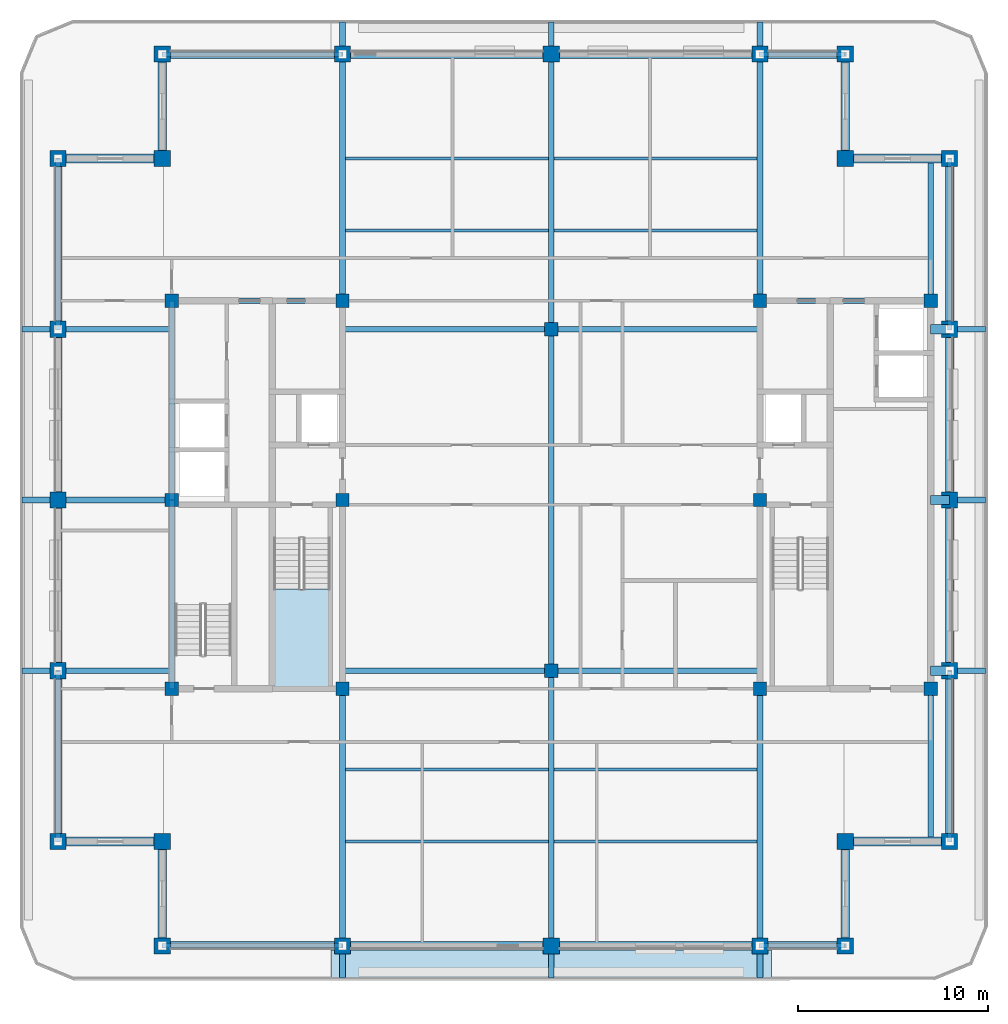
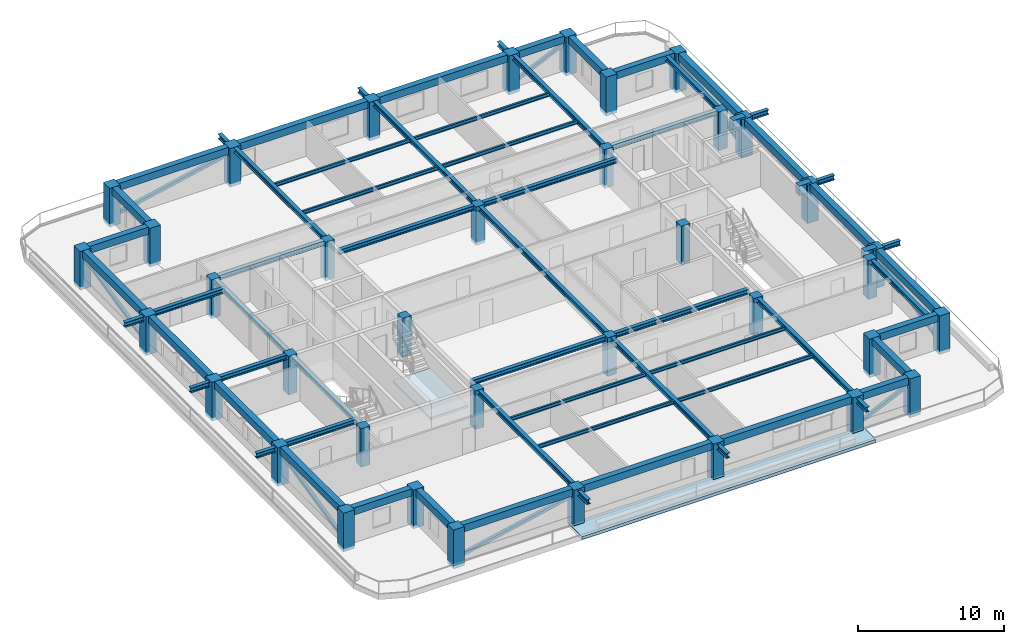
# One storey, part 1 of 11: 67 beams, 37 columns, 8 members, 2 slabs, 1 element without a shape of its own.
"""IFC4 building model written with IfcOpenShell, lengths in metres."""

from ifc_helpers import new_model, si_unit, direction, frame, origin, origin_2d, place, context, subcontext, project, spatial, polyline, rectangle, hollow_rectangle, i_section, outline, extrude, material, layer, layer_set, material_profile, profile_set, type_object, element, aggregate, save


model = new_model("IFC4")

# Units and contexts
model_context = context("Model", 3, precision=1e-05, world=origin(), true_north=direction((0.0, 1.0)))
body_context = subcontext(model_context, "Body", "Model", "MODEL_VIEW")
ifc_project = project(units=[si_unit("LENGTHUNIT", "METRE"), si_unit("AREAUNIT", "SQUARE_METRE"), si_unit("VOLUMEUNIT", "CUBIC_METRE"), si_unit("PLANEANGLEUNIT", "RADIAN"), si_unit("MASSUNIT", "GRAM", prefix="KILO")], contexts=[model_context])

# Site, building, storey
site_placement = place(None, origin())
site = spatial("IfcSite", under=ifc_project, at=site_placement, CompositionType="ELEMENT")
building_placement = place(site_placement, origin())
building = spatial("IfcBuilding", under=site, at=building_placement, Name="Zulmaris Gate Convention Tower", CompositionType="ELEMENT")
storey_placement = place(building_placement, frame((0.0, 0.0, 264.119873046875)))
storey = spatial("IfcBuildingStorey", under=building, at=storey_placement, Name="L70", CompositionType="ELEMENT", Elevation=264.119873046875)

# Columns
ifc_material_1 = material(Name="Concrete C50/60", Category="concrete")
ifc_material_profile_1 = material_profile(ifc_material_1, rectangle(XDim=0.699951171875, YDim=0.699951171875, at=origin_2d()), Name="RC COL 700x700")
ifc_profile_set_1 = profile_set([ifc_material_profile_1], Name="Concrete C50/60")
column_type_1 = type_object("IfcColumnType", Name="COL-RC700", PredefinedType="COLUMN", material=ifc_profile_set_1)
for number, where, z_axis, x_axis, name in (
    (1, (-20.0, -9.949951171875, -0.25), (0.0, 0.0, 1.0), (1.0, 0.0, 0.0), "L70 Column IN--20.00_-9.95"),
    (2, (-20.0, 10.5, -0.25), (0.0, 0.0, 1.0), (1.0, 0.0, 0.0), "L70 Column IN--20.00_+10.50"),
    (3, (-11.0, -9.949951171875, -0.25), (0.0, 0.0, 1.0), (1.0, 0.0, 0.0), "L70 Column IN--11.00_-9.95"),
    (4, (-11.0, 0.0, -0.25), (0.0, 0.0, 1.0), (1.0, 0.0, 0.0), "L70 Column IN--11.00_+0.00"),
    (5, (-11.0, 10.5, -0.25), (0.0, 0.0, 1.0), (1.0, 0.0, 0.0), "L70 Column IN--11.00_+10.50"),
    (6, (11.0, -9.949951171875, -0.25), (0.0, 0.0, 1.0), (1.0, 0.0, 0.0), "L70 Column IN-+11.00_-9.95"),
    (7, (11.0, 0.0, -0.25), (0.0, 0.0, 1.0), (1.0, 0.0, 0.0), "L70 Column IN-+11.00_+0.00"),
    (8, (11.0, 10.5, -0.25), (0.0, 0.0, 1.0), (1.0, 0.0, 0.0), "L70 Column IN-+11.00_+10.50"),
    (9, (20.0, -9.949951171875, -0.25), (0.0, 0.0, 1.0), (1.0, 0.0, 0.0), "L70 Column IN-+20.00_-9.95"),
    (10, (20.0, 10.5, -0.25), (0.0, 0.0, 1.0), (1.0, 0.0, 0.0), "L70 Column IN-+20.00_+10.50"),
    (11, (0.0, -9.0, -0.25), (0.0, 0.0, 1.0), (1.0, 0.0, 0.0), "L70 Column IN-+0.00_-9.00"),
    (12, (0.0, 9.0, -0.25), (0.0, 0.0, 1.0), (1.0, 0.0, 0.0), "L70 Column IN-+0.00_+9.00"),
    (13, (-20.0, 0.0, -0.25), (0.0, 0.0, 1.0), (1.0, 0.0, 0.0), "L70 Column IN--20.00_+0.00"),
):
    element("IfcColumn", number, at=place(storey_placement, frame(where, z_axis=z_axis, x_axis=x_axis)), inside=storey, type_object=column_type_1, Name=name, PredefinedType="COLUMN", context=body_context, shape_type="SweptSolid", body=[
        extrude(rectangle(XDim=0.699951171875, YDim=0.699951171875, at=origin_2d()), origin(), (0.0, 0.0, 1.0), 3.230224609375),
    ])
ifc_material_2 = material(Name="Concrete C60/75", Category="concrete")
ifc_material_profile_2 = material_profile(ifc_material_2, rectangle(XDim=0.85009765625, YDim=0.85009765625, at=origin_2d()), Name="RC COL 850x850")
ifc_profile_set_2 = profile_set([ifc_material_profile_2], Name="Concrete C60/75")
column_type_2 = type_object("IfcColumnType", Name="COL-RC850", PredefinedType="COLUMN", material=ifc_profile_set_2)
for number, where, z_axis, x_axis, name in (
    (14, (-20.5, -23.5, -0.25), (0.0, 0.0, 1.0), (1.0, 0.0, 0.0), "L70 Column PT--20.50_-23.50"),
    (15, (-11.0, -23.5, -0.25), (0.0, 0.0, 1.0), (1.0, 0.0, 0.0), "L70 Column PT--11.00_-23.50"),
    (16, (0.0, -23.5, -0.25), (0.0, 0.0, 1.0), (1.0, 0.0, 0.0), "L70 Column PT-+0.00_-23.50"),
    (17, (11.0, -23.5, -0.25), (0.0, 0.0, 1.0), (1.0, 0.0, 0.0), "L70 Column PT-+11.00_-23.50"),
    (18, (15.5, -23.5, -0.25), (0.0, 0.0, 1.0), (1.0, 0.0, 0.0), "L70 Column PT-+15.50_-23.50"),
    (19, (-20.5, 23.5, -0.25), (0.0, 0.0, 1.0), (1.0, 0.0, 0.0), "L70 Column PT--20.50_+23.50"),
    (20, (-11.0, 23.5, -0.25), (0.0, 0.0, 1.0), (1.0, 0.0, 0.0), "L70 Column PT--11.00_+23.50"),
    (21, (0.0, 23.5, -0.25), (0.0, 0.0, 1.0), (1.0, 0.0, 0.0), "L70 Column PT-+0.00_+23.50"),
    (22, (11.0, 23.5, -0.25), (0.0, 0.0, 1.0), (1.0, 0.0, 0.0), "L70 Column PT-+11.00_+23.50"),
    (23, (15.5, 23.5, -0.25), (0.0, 0.0, 1.0), (1.0, 0.0, 0.0), "L70 Column PT-+15.50_+23.50"),
    (24, (-26.0, -18.0, -0.25), (0.0, 0.0, 1.0), (1.0, 0.0, 0.0), "L70 Column PT--26.00_-18.00"),
    (25, (-26.0, -9.0, -0.25), (0.0, 0.0, 1.0), (1.0, 0.0, 0.0), "L70 Column PT--26.00_-9.00"),
    (26, (-26.0, 0.0, -0.25), (0.0, 0.0, 1.0), (1.0, 0.0, 0.0), "L70 Column PT--26.00_+0.00"),
    (27, (-26.0, 9.0, -0.25), (0.0, 0.0, 1.0), (1.0, 0.0, 0.0), "L70 Column PT--26.00_+9.00"),
    (28, (-26.0, 18.0, -0.25), (0.0, 0.0, 1.0), (1.0, 0.0, 0.0), "L70 Column PT--26.00_+18.00"),
    (29, (21.0, -18.0, -0.25), (0.0, 0.0, 1.0), (1.0, 0.0, 0.0), "L70 Column PT-+21.00_-18.00"),
    (30, (21.0, -9.0, -0.25), (0.0, 0.0, 1.0), (1.0, 0.0, 0.0), "L70 Column PT-+21.00_-9.00"),
    (31, (21.0, 0.0, -0.25), (0.0, 0.0, 1.0), (1.0, 0.0, 0.0), "L70 Column PT-+21.00_+0.00"),
    (32, (21.0, 9.0, -0.25), (0.0, 0.0, 1.0), (1.0, 0.0, 0.0), "L70 Column PT-+21.00_+9.00"),
    (33, (21.0, 18.0, -0.25), (0.0, 0.0, 1.0), (1.0, 0.0, 0.0), "L70 Column PT-+21.00_+18.00"),
    (34, (-20.5, -18.0, -0.25), (0.0, 0.0, 1.0), (1.0, 0.0, 0.0), "L70 Column PT--20.50_-18.00"),
    (35, (15.5, -18.0, -0.25), (0.0, 0.0, 1.0), (1.0, 0.0, 0.0), "L70 Column PT-+15.50_-18.00"),
    (36, (15.5, 18.0, -0.25), (0.0, 0.0, 1.0), (1.0, 0.0, 0.0), "L70 Column PT-+15.50_+18.00"),
    (37, (-20.5, 18.0, -0.25), (0.0, 0.0, 1.0), (1.0, 0.0, 0.0), "L70 Column PT--20.50_+18.00"),
):
    element("IfcColumn", number, at=place(storey_placement, frame(where, z_axis=z_axis, x_axis=x_axis)), inside=storey, type_object=column_type_2, Name=name, PredefinedType="COLUMN", context=body_context, shape_type="SweptSolid", body=[
        extrude(rectangle(XDim=0.85009765625, YDim=0.85009765625, at=origin_2d()), origin(), (0.0, 0.0, 1.0), 3.230224609375),
    ])

# Beams
ifc_material_3 = material(Name="Steel S355", Category="steel")
ifc_material_profile_3 = material_profile(ifc_material_3, i_section(OverallWidth=0.300048828125, OverallDepth=0.39990234375, WebThickness=0.013427734375, FlangeThickness=0.02392578125, FilletRadius=0.027099609375, at=origin_2d()), Name="HEB 400")
ifc_profile_set_3 = profile_set([ifc_material_profile_3], Name="Steel S355")
beam_type_1 = type_object("IfcBeamType", Name="BM-HEB400", PredefinedType="BEAM", material=ifc_profile_set_3)
for number, where, z_axis, x_axis, name in (
    (38, (-11.0, -25.199951171875, 2.64013671875), (0.0, 1.0, 0.0), (-1.0, 0.0, 0.0), "L70 Beam TBRK-L70-S--11"),
    (39, (-11.0, 23.5, 2.64013671875), (0.0, 1.0, 0.0), (-1.0, 0.0, 0.0), "L70 Beam TBRK-L70-N--11"),
    (40, (0.0, -25.199951171875, 2.64013671875), (0.0, 1.0, 0.0), (-1.0, 0.0, 0.0), "L70 Beam TBRK-L70-S-+0"),
    (41, (0.0, 23.5, 2.64013671875), (0.0, 1.0, 0.0), (-1.0, 0.0, 0.0), "L70 Beam TBRK-L70-N-+0"),
    (42, (11.0, -25.199951171875, 2.64013671875), (0.0, 1.0, 0.0), (-1.0, 0.0, 0.0), "L70 Beam TBRK-L70-S-+11"),
    (43, (11.0, 23.5, 2.64013671875), (0.0, 1.0, 0.0), (-1.0, 0.0, 0.0), "L70 Beam TBRK-L70-N-+11"),
):
    element("IfcBeam", number, at=place(storey_placement, frame(where, z_axis=z_axis, x_axis=x_axis)), inside=storey, type_object=beam_type_1, Name=name, PredefinedType="BEAM", context=body_context, shape_type="SweptSolid", body=[
        extrude(i_section(OverallWidth=0.300048828125, OverallDepth=0.39990234375, WebThickness=0.013427734375, FlangeThickness=0.02392578125, FilletRadius=0.027099609375, at=origin_2d()), origin(), (0.0, 0.0, 1.0), 1.699951171875),
    ])
for number, where, z_axis, x_axis, name in (
    (44, (-27.89990234375, -9.0, 2.64013671875), (1.0, 0.0, 0.0), (0.0, 1.0, 0.0), "L70 Beam TBRK-L70-W--9"),
    (45, (21.0, -9.0, 2.64013671875), (1.0, 0.0, 0.0), (0.0, 1.0, 0.0), "L70 Beam TBRK-L70-E--9"),
    (46, (-27.89990234375, 0.0, 2.64013671875), (1.0, 0.0, 0.0), (0.0, 1.0, 0.0), "L70 Beam TBRK-L70-W-+0"),
    (47, (21.0, 0.0, 2.64013671875), (1.0, 0.0, 0.0), (0.0, 1.0, 0.0), "L70 Beam TBRK-L70-E-+0"),
    (48, (-27.89990234375, 9.0, 2.64013671875), (1.0, 0.0, 0.0), (0.0, 1.0, 0.0), "L70 Beam TBRK-L70-W-+9"),
    (49, (21.0, 9.0, 2.64013671875), (1.0, 0.0, 0.0), (0.0, 1.0, 0.0), "L70 Beam TBRK-L70-E-+9"),
):
    element("IfcBeam", number, at=place(storey_placement, frame(where, z_axis=z_axis, x_axis=x_axis)), inside=storey, type_object=beam_type_1, Name=name, PredefinedType="BEAM", context=body_context, shape_type="SweptSolid", body=[
        extrude(i_section(OverallWidth=0.300048828125, OverallDepth=0.39990234375, WebThickness=0.013427734375, FlangeThickness=0.02392578125, FilletRadius=0.027099609375, at=origin_2d()), origin(), (0.0, 0.0, 1.0), 1.89990234375),
    ])
for number, where, z_axis, x_axis, name in (
    (50, (-11.0, -9.0, 2.7783203125), (1.0, 0.0, 0.0), (0.0, 1.0, 0.0), "L70 Beam BM-L70-G01"),
    (51, (0.0, -9.0, 2.7783203125), (1.0, 0.0, 0.0), (0.0, 1.0, 0.0), "L70 Beam BM-L70-G02"),
    (52, (-11.0, 9.0, 2.7783203125), (1.0, 0.0, 0.0), (0.0, 1.0, 0.0), "L70 Beam BM-L70-G03"),
    (53, (0.0, 9.0, 2.7783203125), (1.0, 0.0, 0.0), (0.0, 1.0, 0.0), "L70 Beam BM-L70-G04"),
):
    element("IfcBeam", number, at=place(storey_placement, frame(where, z_axis=z_axis, x_axis=x_axis)), inside=storey, type_object=beam_type_1, Name=name, PredefinedType="BEAM", context=body_context, shape_type="SweptSolid", body=[
        extrude(i_section(OverallWidth=0.300048828125, OverallDepth=0.39990234375, WebThickness=0.013427734375, FlangeThickness=0.02392578125, FilletRadius=0.027099609375, at=origin_2d()), origin(), (0.0, 0.0, 1.0), 11.0),
    ])
beam_1_placement = place(storey_placement, frame((0.0, -23.5, 2.7783203125), z_axis=(0.0, 1.0, 0.0), x_axis=(-1.0, 0.0, 0.0)))
element("IfcBeam", 54, at=beam_1_placement, inside=storey, type_object=beam_type_1, Name="L70 Beam BM-L70-G05", PredefinedType="BEAM", context=body_context, shape_type="SweptSolid", body=[
    extrude(i_section(OverallWidth=0.300048828125, OverallDepth=0.39990234375, WebThickness=0.013427734375, FlangeThickness=0.02392578125, FilletRadius=0.027099609375, at=origin_2d()), origin(), (0.0, 0.0, 1.0), 14.5),
])
beam_2_placement = place(storey_placement, frame((0.0, -9.0, 2.7783203125), z_axis=(0.0, 1.0, 0.0), x_axis=(-1.0, 0.0, 0.0)))
element("IfcBeam", 55, at=beam_2_placement, inside=storey, type_object=beam_type_1, Name="L70 Beam BM-L70-G06", PredefinedType="BEAM", context=body_context, shape_type="SweptSolid", body=[
    extrude(i_section(OverallWidth=0.300048828125, OverallDepth=0.39990234375, WebThickness=0.013427734375, FlangeThickness=0.02392578125, FilletRadius=0.027099609375, at=origin_2d()), origin(), (0.0, 0.0, 1.0), 18.0),
])
beam_3_placement = place(storey_placement, frame((0.0, 9.0, 2.7783203125), z_axis=(0.0, 1.0, 0.0), x_axis=(-1.0, 0.0, 0.0)))
element("IfcBeam", 56, at=beam_3_placement, inside=storey, type_object=beam_type_1, Name="L70 Beam BM-L70-G07", PredefinedType="BEAM", context=body_context, shape_type="SweptSolid", body=[
    extrude(i_section(OverallWidth=0.300048828125, OverallDepth=0.39990234375, WebThickness=0.013427734375, FlangeThickness=0.02392578125, FilletRadius=0.027099609375, at=origin_2d()), origin(), (0.0, 0.0, 1.0), 14.5),
])
beam_4_placement = place(storey_placement, frame((-11.0, -23.5, 2.7783203125), z_axis=(0.0, 1.0, 0.0), x_axis=(-1.0, 0.0, 0.0)))
element("IfcBeam", 57, at=beam_4_placement, inside=storey, type_object=beam_type_1, Name="L70 Beam BM-L70-G08", PredefinedType="BEAM", context=body_context, shape_type="SweptSolid", body=[
    extrude(i_section(OverallWidth=0.300048828125, OverallDepth=0.39990234375, WebThickness=0.013427734375, FlangeThickness=0.02392578125, FilletRadius=0.027099609375, at=origin_2d()), origin(), (0.0, 0.0, 1.0), 13.550048828125),
])
beam_5_placement = place(storey_placement, frame((-11.0, 10.5, 2.7783203125), z_axis=(0.0, 1.0, 0.0), x_axis=(-1.0, 0.0, 0.0)))
element("IfcBeam", 58, at=beam_5_placement, inside=storey, type_object=beam_type_1, Name="L70 Beam BM-L70-G09", PredefinedType="BEAM", context=body_context, shape_type="SweptSolid", body=[
    extrude(i_section(OverallWidth=0.300048828125, OverallDepth=0.39990234375, WebThickness=0.013427734375, FlangeThickness=0.02392578125, FilletRadius=0.027099609375, at=origin_2d()), origin(), (0.0, 0.0, 1.0), 13.0),
])
beam_6_placement = place(storey_placement, frame((11.0, -23.5, 2.7783203125), z_axis=(0.0, 1.0, 0.0), x_axis=(-1.0, 0.0, 0.0)))
element("IfcBeam", 59, at=beam_6_placement, inside=storey, type_object=beam_type_1, Name="L70 Beam BM-L70-G10", PredefinedType="BEAM", context=body_context, shape_type="SweptSolid", body=[
    extrude(i_section(OverallWidth=0.300048828125, OverallDepth=0.39990234375, WebThickness=0.013427734375, FlangeThickness=0.02392578125, FilletRadius=0.027099609375, at=origin_2d()), origin(), (0.0, 0.0, 1.0), 13.550048828125),
])
beam_7_placement = place(storey_placement, frame((11.0, 10.5, 2.7783203125), z_axis=(0.0, 1.0, 0.0), x_axis=(-1.0, 0.0, 0.0)))
element("IfcBeam", 60, at=beam_7_placement, inside=storey, type_object=beam_type_1, Name="L70 Beam BM-L70-G11", PredefinedType="BEAM", context=body_context, shape_type="SweptSolid", body=[
    extrude(i_section(OverallWidth=0.300048828125, OverallDepth=0.39990234375, WebThickness=0.013427734375, FlangeThickness=0.02392578125, FilletRadius=0.027099609375, at=origin_2d()), origin(), (0.0, 0.0, 1.0), 13.0),
])
beam_8_placement = place(storey_placement, frame((20.0, -18.0, 2.7783203125), z_axis=(0.0, 1.0, 0.0), x_axis=(-1.0, 0.0, 0.0)))
element("IfcBeam", 61, at=beam_8_placement, inside=storey, type_object=beam_type_1, Name="L70 Beam BM-L70-G14", PredefinedType="BEAM", context=body_context, shape_type="SweptSolid", body=[
    extrude(i_section(OverallWidth=0.300048828125, OverallDepth=0.39990234375, WebThickness=0.013427734375, FlangeThickness=0.02392578125, FilletRadius=0.027099609375, at=origin_2d()), origin(), (0.0, 0.0, 1.0), 8.050048828125),
])
beam_9_placement = place(storey_placement, frame((20.0, 10.5, 2.7783203125), z_axis=(0.0, 1.0, 0.0), x_axis=(-1.0, 0.0, 0.0)))
element("IfcBeam", 62, at=beam_9_placement, inside=storey, type_object=beam_type_1, Name="L70 Beam BM-L70-G15", PredefinedType="BEAM", context=body_context, shape_type="SweptSolid", body=[
    extrude(i_section(OverallWidth=0.300048828125, OverallDepth=0.39990234375, WebThickness=0.013427734375, FlangeThickness=0.02392578125, FilletRadius=0.027099609375, at=origin_2d()), origin(), (0.0, 0.0, 1.0), 7.5),
])
for number, where, z_axis, x_axis, name in (
    (63, (-26.0, -9.0, 2.7783203125), (1.0, 0.0, 0.0), (0.0, 1.0, 0.0), "L70 Beam BM-L70-G16"),
    (64, (-26.0, 0.0, 2.7783203125), (1.0, 0.0, 0.0), (0.0, 1.0, 0.0), "L70 Beam BM-L70-G17"),
    (65, (-26.0, 9.0, 2.7783203125), (1.0, 0.0, 0.0), (0.0, 1.0, 0.0), "L70 Beam BM-L70-G18"),
):
    element("IfcBeam", number, at=place(storey_placement, frame(where, z_axis=z_axis, x_axis=x_axis)), inside=storey, type_object=beam_type_1, Name=name, PredefinedType="BEAM", context=body_context, shape_type="SweptSolid", body=[
        extrude(i_section(OverallWidth=0.300048828125, OverallDepth=0.39990234375, WebThickness=0.013427734375, FlangeThickness=0.02392578125, FilletRadius=0.027099609375, at=origin_2d()), origin(), (0.0, 0.0, 1.0), 6.0),
    ])
for number, where, z_axis, x_axis, name in (
    (66, (-20.0, 10.5, 2.7783203125), (1.0, 0.0, 0.0), (0.0, 1.0, 0.0), "L70 Beam BM-L70-G23"),
    (67, (11.0, 10.5, 2.7783203125), (1.0, 0.0, 0.0), (0.0, 1.0, 0.0), "L70 Beam BM-L70-G25"),
):
    element("IfcBeam", number, at=place(storey_placement, frame(where, z_axis=z_axis, x_axis=x_axis)), inside=storey, type_object=beam_type_1, Name=name, PredefinedType="BEAM", context=body_context, shape_type="SweptSolid", body=[
        extrude(i_section(OverallWidth=0.300048828125, OverallDepth=0.39990234375, WebThickness=0.013427734375, FlangeThickness=0.02392578125, FilletRadius=0.027099609375, at=origin_2d()), origin(), (0.0, 0.0, 1.0), 9.0),
    ])
beam_10_placement = place(storey_placement, frame((-20.0, -9.949951171875, 2.7783203125), z_axis=(0.0, 1.0, 0.0), x_axis=(-1.0, 0.0, 0.0)))
element("IfcBeam", 68, at=beam_10_placement, inside=storey, type_object=beam_type_1, Name="L70 Beam BM-L70-G26", PredefinedType="BEAM", context=body_context, shape_type="SweptSolid", body=[
    extrude(i_section(OverallWidth=0.300048828125, OverallDepth=0.39990234375, WebThickness=0.013427734375, FlangeThickness=0.02392578125, FilletRadius=0.027099609375, at=origin_2d()), origin(), (0.0, 0.0, 1.0), 9.949951171875),
])
beam_11_placement = place(storey_placement, frame((-20.0, 0.0, 2.7783203125), z_axis=(0.0, 1.0, 0.0), x_axis=(-1.0, 0.0, 0.0)))
element("IfcBeam", 69, at=beam_11_placement, inside=storey, type_object=beam_type_1, Name="L70 Beam BM-L70-G27", PredefinedType="BEAM", context=body_context, shape_type="SweptSolid", body=[
    extrude(i_section(OverallWidth=0.300048828125, OverallDepth=0.39990234375, WebThickness=0.013427734375, FlangeThickness=0.02392578125, FilletRadius=0.027099609375, at=origin_2d()), origin(), (0.0, 0.0, 1.0), 10.5),
])
ifc_material_profile_4 = material_profile(ifc_material_1, rectangle(XDim=0.5, YDim=0.800048828125, at=origin_2d()), Name="RC BEAM 500x800")
ifc_profile_set_4 = profile_set([ifc_material_profile_4], Name="Concrete C50/60")
beam_type_2 = type_object("IfcBeamType", Name="BM-RC500x800", PredefinedType="BEAM", material=ifc_profile_set_4)
for number, where, z_axis, x_axis, name in (
    (70, (20.0, -9.0, 2.580322265625), (1.0, 0.0, 0.0), (0.0, 1.0, 0.0), "L70 Beam BM-L70-G19"),
    (71, (20.0, 0.0, 2.580322265625), (1.0, 0.0, 0.0), (0.0, 1.0, 0.0), "L70 Beam BM-L70-G20"),
    (72, (20.0, 9.0, 2.580322265625), (1.0, 0.0, 0.0), (0.0, 1.0, 0.0), "L70 Beam BM-L70-G21"),
):
    element("IfcBeam", number, at=place(storey_placement, frame(where, z_axis=z_axis, x_axis=x_axis)), inside=storey, type_object=beam_type_2, Name=name, PredefinedType="BEAM", context=body_context, shape_type="SweptSolid", body=[
        extrude(rectangle(XDim=0.5, YDim=0.800048828125, at=origin_2d()), origin(), (0.0, 0.0, 1.0), 1.0),
    ])
ifc_material_4 = material(Name="Precast concrete C50/60", Category="concrete")
ifc_material_profile_5 = material_profile(ifc_material_4, rectangle(XDim=0.449951171875, YDim=0.60009765625, at=origin_2d()), Name="RC SPANDREL 450x600")
ifc_profile_set_5 = profile_set([ifc_material_profile_5], Name="Precast concrete C50/60")
beam_type_3 = type_object("IfcBeamType", Name="BM-SP450x600", PredefinedType="SPANDREL", material=ifc_profile_set_5)
beam_12_placement = place(storey_placement, frame((-20.5, -23.5, 2.68017578125), z_axis=(1.0, 0.0, 0.0), x_axis=(0.0, 1.0, 0.0)))
element("IfcBeam", 73, at=beam_12_placement, inside=storey, type_object=beam_type_3, Name="L70 Spandrel SP-L70-01", PredefinedType="SPANDREL", context=body_context, shape_type="SweptSolid", body=[
    extrude(rectangle(XDim=0.449951171875, YDim=0.60009765625, at=origin_2d()), origin(), (0.0, 0.0, 1.0), 9.5),
])
for number, where, z_axis, x_axis, name in (
    (74, (-11.0, -23.5, 2.68017578125), (1.0, 0.0, 0.0), (0.0, 1.0, 0.0), "L70 Spandrel SP-L70-02"),
    (75, (0.0, -23.5, 2.68017578125), (1.0, 0.0, 0.0), (0.0, 1.0, 0.0), "L70 Spandrel SP-L70-03"),
):
    element("IfcBeam", number, at=place(storey_placement, frame(where, z_axis=z_axis, x_axis=x_axis)), inside=storey, type_object=beam_type_3, Name=name, PredefinedType="SPANDREL", context=body_context, shape_type="SweptSolid", body=[
        extrude(rectangle(XDim=0.449951171875, YDim=0.60009765625, at=origin_2d()), origin(), (0.0, 0.0, 1.0), 11.0),
    ])
beam_13_placement = place(storey_placement, frame((11.0, -23.5, 2.68017578125), z_axis=(1.0, 0.0, 0.0), x_axis=(0.0, 1.0, 0.0)))
element("IfcBeam", 76, at=beam_13_placement, inside=storey, type_object=beam_type_3, Name="L70 Spandrel SP-L70-04", PredefinedType="SPANDREL", context=body_context, shape_type="SweptSolid", body=[
    extrude(rectangle(XDim=0.449951171875, YDim=0.60009765625, at=origin_2d()), origin(), (0.0, 0.0, 1.0), 4.5),
])
for number, where, z_axis, x_axis, name in (
    (77, (15.5, -23.5, 2.68017578125), (0.0, 1.0, 0.0), (-1.0, 0.0, 0.0), "L70 Spandrel SP-L70-05"),
    (78, (15.5, -18.0, 2.68017578125), (1.0, 0.0, 0.0), (0.0, 1.0, 0.0), "L70 Spandrel SP-L70-06"),
):
    element("IfcBeam", number, at=place(storey_placement, frame(where, z_axis=z_axis, x_axis=x_axis)), inside=storey, type_object=beam_type_3, Name=name, PredefinedType="SPANDREL", context=body_context, shape_type="SweptSolid", body=[
        extrude(rectangle(XDim=0.449951171875, YDim=0.60009765625, at=origin_2d()), origin(), (0.0, 0.0, 1.0), 5.5),
    ])
for number, where, z_axis, x_axis, name in (
    (79, (21.0, -18.0, 2.68017578125), (0.0, 1.0, 0.0), (-1.0, 0.0, 0.0), "L70 Spandrel SP-L70-07"),
    (80, (21.0, -9.0, 2.68017578125), (0.0, 1.0, 0.0), (-1.0, 0.0, 0.0), "L70 Spandrel SP-L70-08"),
    (81, (21.0, 0.0, 2.68017578125), (0.0, 1.0, 0.0), (-1.0, 0.0, 0.0), "L70 Spandrel SP-L70-09"),
    (82, (21.0, 9.0, 2.68017578125), (0.0, 1.0, 0.0), (-1.0, 0.0, 0.0), "L70 Spandrel SP-L70-10"),
):
    element("IfcBeam", number, at=place(storey_placement, frame(where, z_axis=z_axis, x_axis=x_axis)), inside=storey, type_object=beam_type_3, Name=name, PredefinedType="SPANDREL", context=body_context, shape_type="SweptSolid", body=[
        extrude(rectangle(XDim=0.449951171875, YDim=0.60009765625, at=origin_2d()), origin(), (0.0, 0.0, 1.0), 9.0),
    ])
for number, where, z_axis, x_axis, name in (
    (83, (21.0, 18.0, 2.68017578125), (-1.0, 0.0, 0.0), (0.0, -1.0, 0.0), "L70 Spandrel SP-L70-11"),
    (84, (15.5, 18.0, 2.68017578125), (0.0, 1.0, 0.0), (-1.0, 0.0, 0.0), "L70 Spandrel SP-L70-12"),
):
    element("IfcBeam", number, at=place(storey_placement, frame(where, z_axis=z_axis, x_axis=x_axis)), inside=storey, type_object=beam_type_3, Name=name, PredefinedType="SPANDREL", context=body_context, shape_type="SweptSolid", body=[
        extrude(rectangle(XDim=0.449951171875, YDim=0.60009765625, at=origin_2d()), origin(), (0.0, 0.0, 1.0), 5.5),
    ])
beam_14_placement = place(storey_placement, frame((15.5, 23.5, 2.68017578125), z_axis=(-1.0, 0.0, 0.0), x_axis=(0.0, -1.0, 0.0)))
element("IfcBeam", 85, at=beam_14_placement, inside=storey, type_object=beam_type_3, Name="L70 Spandrel SP-L70-13", PredefinedType="SPANDREL", context=body_context, shape_type="SweptSolid", body=[
    extrude(rectangle(XDim=0.449951171875, YDim=0.60009765625, at=origin_2d()), origin(), (0.0, 0.0, 1.0), 4.5),
])
for number, where, z_axis, x_axis, name in (
    (86, (11.0, 23.5, 2.68017578125), (-1.0, 0.0, 0.0), (0.0, -1.0, 0.0), "L70 Spandrel SP-L70-14"),
    (87, (0.0, 23.5, 2.68017578125), (-1.0, 0.0, 0.0), (0.0, -1.0, 0.0), "L70 Spandrel SP-L70-15"),
):
    element("IfcBeam", number, at=place(storey_placement, frame(where, z_axis=z_axis, x_axis=x_axis)), inside=storey, type_object=beam_type_3, Name=name, PredefinedType="SPANDREL", context=body_context, shape_type="SweptSolid", body=[
        extrude(rectangle(XDim=0.449951171875, YDim=0.60009765625, at=origin_2d()), origin(), (0.0, 0.0, 1.0), 11.0),
    ])
beam_15_placement = place(storey_placement, frame((-11.0, 23.5, 2.68017578125), z_axis=(-1.0, 0.0, 0.0), x_axis=(0.0, -1.0, 0.0)))
element("IfcBeam", 88, at=beam_15_placement, inside=storey, type_object=beam_type_3, Name="L70 Spandrel SP-L70-16", PredefinedType="SPANDREL", context=body_context, shape_type="SweptSolid", body=[
    extrude(rectangle(XDim=0.449951171875, YDim=0.60009765625, at=origin_2d()), origin(), (0.0, 0.0, 1.0), 9.5),
])
for number, where, z_axis, x_axis, name in (
    (89, (-20.5, 23.5, 2.68017578125), (0.0, -1.0, 0.0), (1.0, 0.0, 0.0), "L70 Spandrel SP-L70-17"),
    (90, (-20.5, 18.0, 2.68017578125), (-1.0, 0.0, 0.0), (0.0, -1.0, 0.0), "L70 Spandrel SP-L70-18"),
):
    element("IfcBeam", number, at=place(storey_placement, frame(where, z_axis=z_axis, x_axis=x_axis)), inside=storey, type_object=beam_type_3, Name=name, PredefinedType="SPANDREL", context=body_context, shape_type="SweptSolid", body=[
        extrude(rectangle(XDim=0.449951171875, YDim=0.60009765625, at=origin_2d()), origin(), (0.0, 0.0, 1.0), 5.5),
    ])
for number, where, z_axis, x_axis, name in (
    (91, (-26.0, 18.0, 2.68017578125), (0.0, -1.0, 0.0), (1.0, 0.0, 0.0), "L70 Spandrel SP-L70-19"),
    (92, (-26.0, 9.0, 2.68017578125), (0.0, -1.0, 0.0), (1.0, 0.0, 0.0), "L70 Spandrel SP-L70-20"),
    (93, (-26.0, 0.0, 2.68017578125), (0.0, -1.0, 0.0), (1.0, 0.0, 0.0), "L70 Spandrel SP-L70-21"),
    (94, (-26.0, -9.0, 2.68017578125), (0.0, -1.0, 0.0), (1.0, 0.0, 0.0), "L70 Spandrel SP-L70-22"),
):
    element("IfcBeam", number, at=place(storey_placement, frame(where, z_axis=z_axis, x_axis=x_axis)), inside=storey, type_object=beam_type_3, Name=name, PredefinedType="SPANDREL", context=body_context, shape_type="SweptSolid", body=[
        extrude(rectangle(XDim=0.449951171875, YDim=0.60009765625, at=origin_2d()), origin(), (0.0, 0.0, 1.0), 9.0),
    ])
for number, where, z_axis, x_axis, name in (
    (95, (-26.0, -18.0, 2.68017578125), (1.0, 0.0, 0.0), (0.0, 1.0, 0.0), "L70 Spandrel SP-L70-23"),
    (96, (-20.5, -18.0, 2.68017578125), (0.0, -1.0, 0.0), (1.0, 0.0, 0.0), "L70 Spandrel SP-L70-24"),
):
    element("IfcBeam", number, at=place(storey_placement, frame(where, z_axis=z_axis, x_axis=x_axis)), inside=storey, type_object=beam_type_3, Name=name, PredefinedType="SPANDREL", context=body_context, shape_type="SweptSolid", body=[
        extrude(rectangle(XDim=0.449951171875, YDim=0.60009765625, at=origin_2d()), origin(), (0.0, 0.0, 1.0), 5.5),
    ])

# Members
ifc_material_profile_6 = material_profile(ifc_material_3, hollow_rectangle(XDim=0.25, YDim=0.25, WallThickness=0.012451171875, at=origin_2d()), Name="SHS 250x250x12.5")
ifc_profile_set_6 = profile_set([ifc_material_profile_6], Name="Steel S355")
member_type = type_object("IfcMemberType", Name="BR-SHS250", PredefinedType="BRACE", material=ifc_profile_set_6)
for number, where, z_axis, x_axis, name in (
    (97, (-26.0, -18.0, 0.300048828125), (0.0, 0.974789860724, 0.223124914409), (-1.0, 0.0, 0.0), "L70 Perimeter Tube Diagonal SW-W"),
    (98, (-26.0, 9.0, 0.300048828125), (0.0, 0.974789860724, 0.223124914409), (-1.0, 0.0, 0.0), "L70 Perimeter Tube Diagonal NW-W"),
    (99, (21.0, -18.0, 0.300048828125), (0.0, 0.974789860724, 0.223124914409), (-1.0, 0.0, 0.0), "L70 Perimeter Tube Diagonal SE-E"),
    (100, (21.0, 9.0, 0.300048828125), (0.0, 0.974789860724, 0.223124914409), (-1.0, 0.0, 0.0), "L70 Perimeter Tube Diagonal NE-E"),
):
    element("IfcMember", number, at=place(storey_placement, frame(where, z_axis=z_axis, x_axis=x_axis)), inside=storey, type_object=member_type, Name=name, PredefinedType="BRACE", context=body_context, shape_type="SweptSolid", body=[
        extrude(hollow_rectangle(XDim=0.25, YDim=0.25, WallThickness=0.012451171875, at=origin_2d()), origin(), (0.0, 0.0, 1.0), 9.232666015625),
    ])
member_1_placement = place(storey_placement, frame((-20.5, -23.5, 0.300048828125), z_axis=(0.977286395287, 0.0, 0.21192286707), x_axis=(0.0, 1.0, 0.0)))
element("IfcMember", 101, at=member_1_placement, inside=storey, type_object=member_type, Name="L70 Perimeter Tube Diagonal SW-S", PredefinedType="BRACE", context=body_context, shape_type="SweptSolid", body=[
    extrude(hollow_rectangle(XDim=0.25, YDim=0.25, WallThickness=0.012451171875, at=origin_2d()), origin(), (0.0, 0.0, 1.0), 9.720703125),
])
member_2_placement = place(storey_placement, frame((11.0, -23.5, 0.300048828125), z_axis=(0.909251577034, 0.0, 0.416247005589), x_axis=(0.0, 1.0, 0.0)))
element("IfcMember", 102, at=member_2_placement, inside=storey, type_object=member_type, Name="L70 Perimeter Tube Diagonal SE-S", PredefinedType="BRACE", context=body_context, shape_type="SweptSolid", body=[
    extrude(hollow_rectangle(XDim=0.25, YDim=0.25, WallThickness=0.012451171875, at=origin_2d()), origin(), (0.0, 0.0, 1.0), 4.94921875),
])
member_3_placement = place(storey_placement, frame((-20.5, 23.5, 0.300048828125), z_axis=(0.977286395287, 0.0, 0.21192286707), x_axis=(0.0, 1.0, 0.0)))
element("IfcMember", 103, at=member_3_placement, inside=storey, type_object=member_type, Name="L70 Perimeter Tube Diagonal NW-N", PredefinedType="BRACE", context=body_context, shape_type="SweptSolid", body=[
    extrude(hollow_rectangle(XDim=0.25, YDim=0.25, WallThickness=0.012451171875, at=origin_2d()), origin(), (0.0, 0.0, 1.0), 9.720703125),
])
member_4_placement = place(storey_placement, frame((11.0, 23.5, 0.300048828125), z_axis=(0.909251577034, 0.0, 0.416247005589), x_axis=(0.0, 1.0, 0.0)))
element("IfcMember", 104, at=member_4_placement, inside=storey, type_object=member_type, Name="L70 Perimeter Tube Diagonal NE-N", PredefinedType="BRACE", context=body_context, shape_type="SweptSolid", body=[
    extrude(hollow_rectangle(XDim=0.25, YDim=0.25, WallThickness=0.012451171875, at=origin_2d()), origin(), (0.0, 0.0, 1.0), 4.94921875),
])

# Beams
ifc_material_profile_7 = material_profile(ifc_material_3, i_section(OverallWidth=0.14990234375, OverallDepth=0.300048828125, WebThickness=0.007080078125, FlangeThickness=0.0107421875, FilletRadius=0.014892578125, at=origin_2d()), Name="IPE 300")
ifc_profile_set_7 = profile_set([ifc_material_profile_7], Name="Steel S355")
beam_type_4 = type_object("IfcBeamType", Name="JT-IPE300", PredefinedType="JOIST", material=ifc_profile_set_7)
for number, where, z_axis, x_axis, name in (
    (105, (-10.85009765625, -18.0, 2.828125), (1.0, 0.0, 0.0), (0.0, 1.0, 0.0), "L70 Joist JT-L70-CW--18.0"),
    (106, (0.14990234375, -18.0, 2.828125), (1.0, 0.0, 0.0), (0.0, 1.0, 0.0), "L70 Joist JT-L70-CE--18.0"),
    (107, (-10.85009765625, -14.199951171875, 2.828125), (1.0, 0.0, 0.0), (0.0, 1.0, 0.0), "L70 Joist JT-L70-CW--14.2"),
    (108, (0.14990234375, -14.199951171875, 2.828125), (1.0, 0.0, 0.0), (0.0, 1.0, 0.0), "L70 Joist JT-L70-CE--14.2"),
    (109, (-10.85009765625, 14.199951171875, 2.828125), (1.0, 0.0, 0.0), (0.0, 1.0, 0.0), "L70 Joist JT-L70-CW-+14.2"),
    (110, (0.14990234375, 14.199951171875, 2.828125), (1.0, 0.0, 0.0), (0.0, 1.0, 0.0), "L70 Joist JT-L70-CE-+14.2"),
    (111, (-10.85009765625, 18.0, 2.828125), (1.0, 0.0, 0.0), (0.0, 1.0, 0.0), "L70 Joist JT-L70-CW-+18.0"),
    (112, (0.14990234375, 18.0, 2.828125), (1.0, 0.0, 0.0), (0.0, 1.0, 0.0), "L70 Joist JT-L70-CE-+18.0"),
):
    element("IfcBeam", number, at=place(storey_placement, frame(where, z_axis=z_axis, x_axis=x_axis)), inside=storey, type_object=beam_type_4, Name=name, PredefinedType="JOIST", context=body_context, shape_type="SweptSolid", body=[
        extrude(i_section(OverallWidth=0.14990234375, OverallDepth=0.300048828125, WebThickness=0.007080078125, FlangeThickness=0.0107421875, FilletRadius=0.014892578125, at=origin_2d()), origin(), (0.0, 0.0, 1.0), 10.7001953125),
    ])

# Slab
ifc_layer_1 = layer(ifc_material_4, 0.260009765625, Name="Precast concrete C50/60")
ifc_layer_set_1 = layer_set([ifc_layer_1], Name="Precast concrete C50/60")
slab_type_1 = type_object("IfcSlabType", Name="SL-BAL-260", PredefinedType="FLOOR", material=ifc_layer_set_1)
slab_1_placement = place(storey_placement, frame((0.0, 0.0, -0.25)))
element("IfcSlab", 113, at=slab_1_placement, inside=storey, type_object=slab_type_1, Name="L70 South Tree-Balcony Planter Slab", PredefinedType="FLOOR", context=body_context, shape_type="SweptSolid", body=[
    extrude(outline(polyline([(-11.597900390625, -25.300048828125), (-11.597900390625, -23.5), (11.597900390625, -23.5), (11.597900390625, -25.300048828125), (-11.597900390625, -25.300048828125)])), origin(), (0.0, 0.0, 1.0), 0.260009765625),
])

# Stair, slab
ifc_material_5 = material(Name="Concrete C45/55", Category="concrete")
stair_type = type_object("IfcStairType", Name="ST-CORE-DOGLEG", PredefinedType="HALF_TURN_STAIR", material=ifc_material_5)
stair_placement = place(storey_placement, origin())
stair = element("IfcStair", 114, at=stair_placement, inside=storey, type_object=stair_type, Name="L70 Core Exit Stair ST-1", PredefinedType="HALF_TURN_STAIR")
ifc_layer_2 = layer(ifc_material_5, 0.199951171875, Name="Concrete C45/55")
ifc_layer_set_2 = layer_set([ifc_layer_2], Name="Concrete C45/55")
slab_type_2 = type_object("IfcSlabType", Name="SL-LND-200", PredefinedType="LANDING", material=ifc_layer_set_2)
slab_2_placement = place(storey_placement, frame((0.0, 0.0, 1.4150390625)))
slab_2 = element("IfcSlab", 115, at=slab_2_placement, type_object=slab_type_2, Name="ST-1 landing 1", PredefinedType="LANDING", context=body_context, shape_type="SweptSolid", body=[
    extrude(outline(polyline([(-14.6201171875, -4.699951171875), (-14.6201171875, -9.85009765625), (-11.659912109375, -9.85009765625), (-11.659912109375, -4.699951171875), (-14.6201171875, -4.699951171875)])), origin(), (0.0, 0.0, 1.0), 0.2001953125),
])
aggregate(stair, [slab_2])

save(model, "model.ifc")
